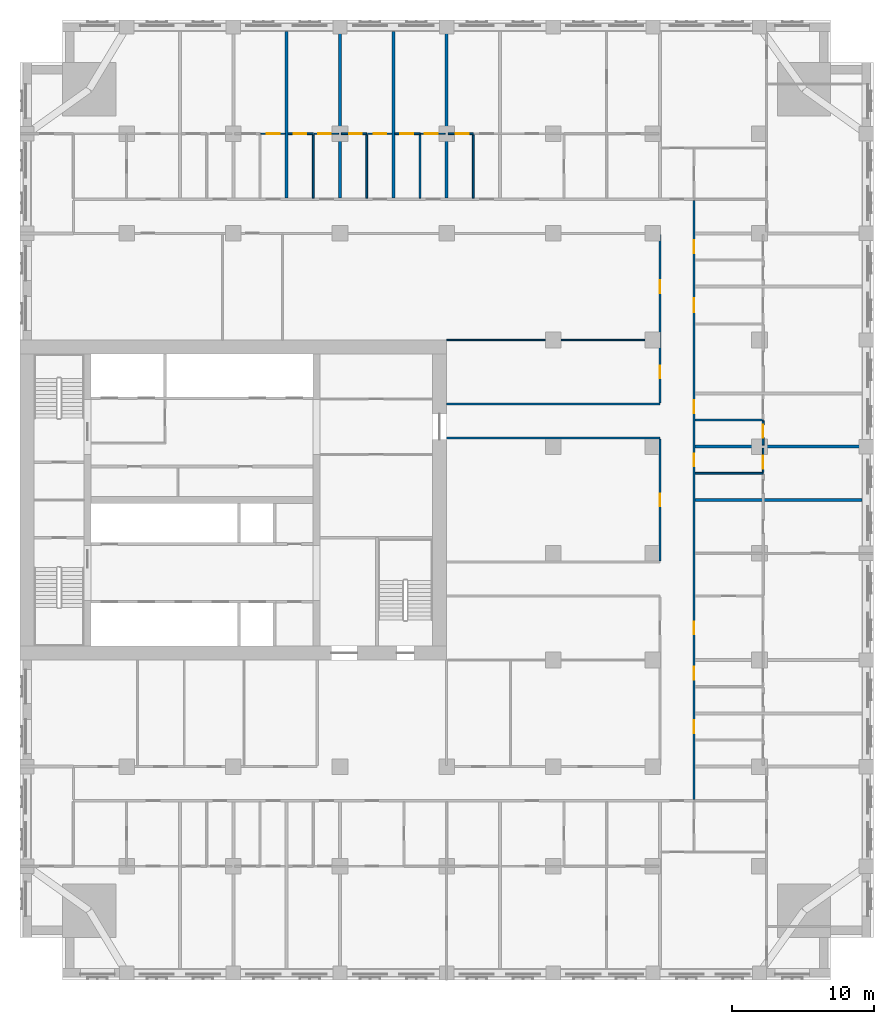
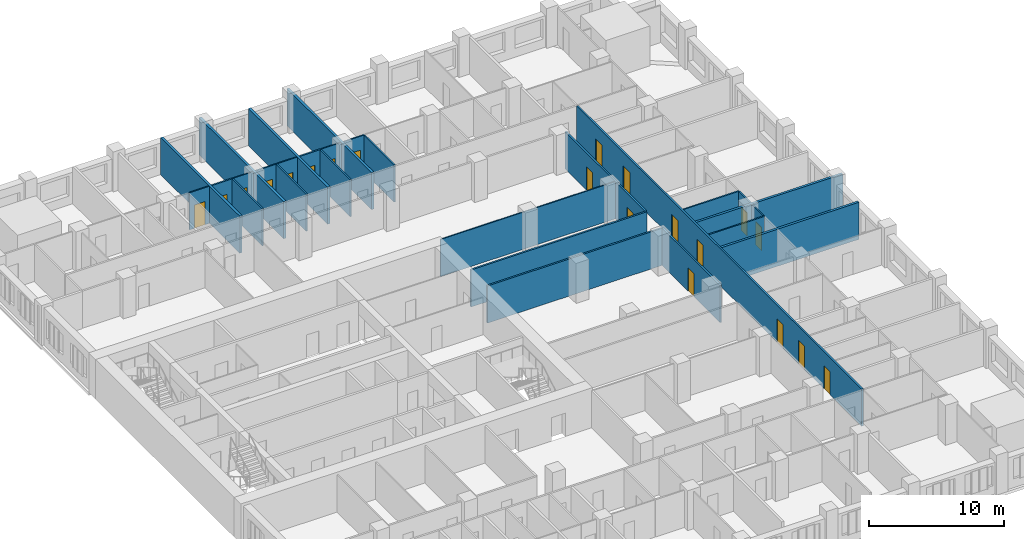
# One storey, part 10 of 15: 28 walls, 20 doors, 20 openings.
"""IFC4 building model written with IfcOpenShell, lengths in metres."""

from ifc_helpers import new_model, si_unit, direction, frame, frame_2d, origin, place, context, subcontext, project, spatial, rectangle, extrude, material, layer, layer_set, type_object, element, fill, save


model = new_model("IFC4")

# Units and contexts
model_context = context("Model", 3, precision=1e-05, world=origin(), true_north=direction((0.0, 1.0)))
body_context = subcontext(model_context, "Body", "Model", "MODEL_VIEW")
ifc_project = project(units=[si_unit("LENGTHUNIT", "METRE"), si_unit("AREAUNIT", "SQUARE_METRE"), si_unit("VOLUMEUNIT", "CUBIC_METRE"), si_unit("PLANEANGLEUNIT", "RADIAN"), si_unit("MASSUNIT", "GRAM", prefix="KILO")], contexts=[model_context])

# Site, building, storey
site_placement = place(None, origin())
site = spatial("IfcSite", under=ifc_project, at=site_placement, CompositionType="ELEMENT")
building_placement = place(site_placement, origin())
building = spatial("IfcBuilding", under=site, at=building_placement, Name="Tamorin Gate", CompositionType="ELEMENT")
storey_placement = place(building_placement, frame((0.0, 0.0, 97.10009765625)))
storey = spatial("IfcBuildingStorey", under=building, at=storey_placement, Name="L23", CompositionType="ELEMENT", Elevation=97.10009765625)

# Wall, opening, door
ifc_material_1 = material(Name="Gypsum board partition")
ifc_layer_1 = layer(ifc_material_1, 0.14990234375)
ifc_layer_set_1 = layer_set([ifc_layer_1], Name="Corridor wall 150")
wall_type_1 = type_object("IfcWallType", Name="Corridor wall 150", PredefinedType="PARTITIONING", material=ifc_layer_set_1)
wall_1_placement = place(storey_placement, frame((75.0, 66.97509765625, 0.0), z_axis=(0.0, 0.0, 1.0), x_axis=(0.0, 1.0, 0.0)))
wall_1 = element("IfcWall", 1, at=wall_1_placement, inside=storey, type_object=wall_type_1, Name="Corridor wall 150", PredefinedType="PARTITIONING", context=body_context, shape_type="SweptSolid", body=[
    extrude(rectangle(XDim=8.5498046875, YDim=0.14990234375, at=frame_2d((4.27490234375, 0.0))), origin(), (0.0, 0.0, 1.0), 3.349853515625),
])
opening_1_placement = place(wall_1_placement, frame((3.824951171875, 0.0, 0.0)))
opening_1 = element("IfcOpeningElement", 2, at=opening_1_placement, cuts=wall_1, Name="Opening DH6096", PredefinedType="OPENING", context=body_context, shape_type="SweptSolid", body=[
    extrude(rectangle(XDim=0.89990234375, YDim=2.10009765625, at=frame_2d((0.449951171875, 1.050048828125))), frame((0.0, 0.0849609375, 0.0), z_axis=(0.0, -1.0, 0.0), x_axis=(1.0, 0.0, 0.0)), (0.0, 0.0, 1.0), 0.169921875),
])
ifc_material_2 = material(Name="Timber door leaf", Category="wood")
door_type_1 = type_object("IfcDoorType", Name="Door 900 x 2100 FD30S", OperationType="NOTDEFINED", PredefinedType="DOOR", material=ifc_material_2)
door_1_placement = place(opening_1_placement, origin())
door_1 = element("IfcDoor", 3, at=door_1_placement, inside=storey, type_object=door_type_1, Name="Door DH6096", OperationType="SINGLE_SWING_LEFT", OverallHeight=2.10009765625, OverallWidth=0.89990234375, PredefinedType="DOOR", context=body_context, shape_type="SweptSolid", body=[
    extrude(rectangle(XDim=0.89990234375, YDim=2.10009765625, at=frame_2d((0.449951171875, 1.050048828125))), frame((0.0, 0.02490234375, 0.0), z_axis=(0.0, -1.0, 0.0), x_axis=(1.0, 0.0, 0.0)), (0.0, 0.0, 1.0), 0.050048828125),
])
fill(opening_1, door_1)

# Wall, openings, doors
wall_2_placement = place(storey_placement, frame((75.0, 78.074951171875, 0.0), z_axis=(0.0, 0.0, 1.0), x_axis=(0.0, 1.0, 0.0)))
wall_2 = element("IfcWall", 4, at=wall_2_placement, inside=storey, type_object=wall_type_1, Name="Corridor wall 150", PredefinedType="PARTITIONING", context=body_context, shape_type="SweptSolid", body=[
    extrude(rectangle(XDim=11.85009765625, YDim=0.14990234375, at=frame_2d((5.925048828125, 0.0))), origin(), (0.0, 0.0, 1.0), 3.349853515625),
])
opening_2_placement = place(wall_2_placement, frame((7.72509765625, 0.0, 0.0)))
opening_2 = element("IfcOpeningElement", 5, at=opening_2_placement, cuts=wall_2, Name="Opening DH6094", PredefinedType="OPENING", context=body_context, shape_type="SweptSolid", body=[
    extrude(rectangle(XDim=0.89990234375, YDim=2.10009765625, at=frame_2d((0.449951171875, 1.050048828125))), frame((0.0, 0.0849609375, 0.0), z_axis=(0.0, -1.0, 0.0), x_axis=(1.0, 0.0, 0.0)), (0.0, 0.0, 1.0), 0.169921875),
])
opening_3_placement = place(wall_2_placement, frame((1.72509765625, 0.0, 0.0)))
opening_3 = element("IfcOpeningElement", 6, at=opening_3_placement, cuts=wall_2, Name="Opening DH6097", PredefinedType="OPENING", context=body_context, shape_type="SweptSolid", body=[
    extrude(rectangle(XDim=0.89990234375, YDim=2.10009765625, at=frame_2d((0.449951171875, 1.050048828125))), frame((0.0, 0.0849609375, 0.0), z_axis=(0.0, -1.0, 0.0), x_axis=(1.0, 0.0, 0.0)), (0.0, 0.0, 1.0), 0.169921875),
])
door_2_placement = place(opening_2_placement, origin())
door_2 = element("IfcDoor", 7, at=door_2_placement, inside=storey, type_object=door_type_1, Name="Door DH6094", OperationType="SINGLE_SWING_LEFT", OverallHeight=2.10009765625, OverallWidth=0.89990234375, PredefinedType="DOOR", context=body_context, shape_type="SweptSolid", body=[
    extrude(rectangle(XDim=0.89990234375, YDim=2.10009765625, at=frame_2d((0.449951171875, 1.050048828125))), frame((0.0, 0.02490234375, 0.0), z_axis=(0.0, -1.0, 0.0), x_axis=(1.0, 0.0, 0.0)), (0.0, 0.0, 1.0), 0.050048828125),
])
fill(opening_2, door_2)
door_3_placement = place(opening_3_placement, origin())
door_3 = element("IfcDoor", 8, at=door_3_placement, inside=storey, type_object=door_type_1, Name="Door DH6097", OperationType="SINGLE_SWING_LEFT", OverallHeight=2.10009765625, OverallWidth=0.89990234375, PredefinedType="DOOR", context=body_context, shape_type="SweptSolid", body=[
    extrude(rectangle(XDim=0.89990234375, YDim=2.10009765625, at=frame_2d((0.449951171875, 1.050048828125))), frame((0.0, 0.02490234375, 0.0), z_axis=(0.0, -1.0, 0.0), x_axis=(1.0, 0.0, 0.0)), (0.0, 0.0, 1.0), 0.050048828125),
])
fill(opening_3, door_3)

wall_3_placement = place(storey_placement, frame((77.39990234375, 50.175048828125, 0.0), z_axis=(0.0, 0.0, 1.0), x_axis=(0.0, 1.0, 0.0)))
wall_3 = element("IfcWall", 9, at=wall_3_placement, inside=storey, type_object=wall_type_1, Name="Corridor wall 150", PredefinedType="PARTITIONING", context=body_context, shape_type="SweptSolid", body=[
    extrude(rectangle(XDim=42.14990234375, YDim=0.14990234375, at=frame_2d((21.074951171875, 0.0))), origin(), (0.0, 0.0, 1.0), 3.349853515625),
])
opening_4_placement = place(wall_3_placement, frame((4.6875, 0.0, 0.0)))
opening_4 = element("IfcOpeningElement", 10, at=opening_4_placement, cuts=wall_3, Name="Opening DH6052", PredefinedType="OPENING", context=body_context, shape_type="SweptSolid", body=[
    extrude(rectangle(XDim=0.89990234375, YDim=2.10009765625, at=frame_2d((0.449951171875, 1.050048828125))), frame((0.0, 0.0849609375, 0.0), z_axis=(0.0, -1.0, 0.0), x_axis=(1.0, 0.0, 0.0)), (0.0, 0.0, 1.0), 0.169921875),
])
opening_5_placement = place(wall_3_placement, frame((8.4375, 0.0, 0.0)))
opening_5 = element("IfcOpeningElement", 11, at=opening_5_placement, cuts=wall_3, Name="Opening DH6055", PredefinedType="OPENING", context=body_context, shape_type="SweptSolid", body=[
    extrude(rectangle(XDim=0.89990234375, YDim=2.10009765625, at=frame_2d((0.449951171875, 1.050048828125))), frame((0.0, 0.0849609375, 0.0), z_axis=(0.0, -1.0, 0.0), x_axis=(1.0, 0.0, 0.0)), (0.0, 0.0, 1.0), 0.169921875),
])
opening_6_placement = place(wall_3_placement, frame((11.625, 0.0, 0.0)))
opening_6 = element("IfcOpeningElement", 12, at=opening_6_placement, cuts=wall_3, Name="Opening DH6057", PredefinedType="OPENING", context=body_context, shape_type="SweptSolid", body=[
    extrude(rectangle(XDim=0.89990234375, YDim=2.10009765625, at=frame_2d((0.449951171875, 1.050048828125))), frame((0.0, 0.0849609375, 0.0), z_axis=(0.0, -1.0, 0.0), x_axis=(1.0, 0.0, 0.0)), (0.0, 0.0, 1.0), 0.169921875),
])
opening_7_placement = place(wall_3_placement, frame((23.4375, 0.0, 0.0)))
opening_7 = element("IfcOpeningElement", 13, at=opening_7_placement, cuts=wall_3, Name="Opening DH6063", PredefinedType="OPENING", context=body_context, shape_type="SweptSolid", body=[
    extrude(rectangle(XDim=0.89990234375, YDim=2.10009765625, at=frame_2d((0.449951171875, 1.050048828125))), frame((0.0, 0.0849609375, 0.0), z_axis=(0.0, -1.0, 0.0), x_axis=(1.0, 0.0, 0.0)), (0.0, 0.0, 1.0), 0.169921875),
])
opening_8_placement = place(wall_3_placement, frame((27.1875, 0.0, 0.0)))
opening_8 = element("IfcOpeningElement", 14, at=opening_8_placement, cuts=wall_3, Name="Opening DH6066", PredefinedType="OPENING", context=body_context, shape_type="SweptSolid", body=[
    extrude(rectangle(XDim=0.89990234375, YDim=2.10009765625, at=frame_2d((0.449951171875, 1.050048828125))), frame((0.0, 0.0849609375, 0.0), z_axis=(0.0, -1.0, 0.0), x_axis=(1.0, 0.0, 0.0)), (0.0, 0.0, 1.0), 0.169921875),
])
opening_9_placement = place(wall_3_placement, frame((34.262451171875, 0.0, 0.0)))
opening_9 = element("IfcOpeningElement", 15, at=opening_9_placement, cuts=wall_3, Name="Opening DH6069", PredefinedType="OPENING", context=body_context, shape_type="SweptSolid", body=[
    extrude(rectangle(XDim=1.0, YDim=2.10009765625, at=frame_2d((0.5, 1.050048828125))), frame((0.0, 0.0849609375, 0.0), z_axis=(0.0, -1.0, 0.0), x_axis=(1.0, 0.0, 0.0)), (0.0, 0.0, 1.0), 0.169921875),
])
opening_10_placement = place(wall_3_placement, frame((38.4375, 0.0, 0.0)))
opening_10 = element("IfcOpeningElement", 16, at=opening_10_placement, cuts=wall_3, Name="Opening DH6072", PredefinedType="OPENING", context=body_context, shape_type="SweptSolid", body=[
    extrude(rectangle(XDim=0.89990234375, YDim=2.10009765625, at=frame_2d((0.449951171875, 1.050048828125))), frame((0.0, 0.0849609375, 0.0), z_axis=(0.0, -1.0, 0.0), x_axis=(1.0, 0.0, 0.0)), (0.0, 0.0, 1.0), 0.169921875),
])
door_type_2 = type_object("IfcDoorType", Name="Door 1000 x 2100 FD30S", OperationType="NOTDEFINED", PredefinedType="DOOR", material=ifc_material_2)
door_4_placement = place(opening_9_placement, origin())
door_4 = element("IfcDoor", 17, at=door_4_placement, inside=storey, type_object=door_type_2, Name="Door DH6069", OperationType="SINGLE_SWING_RIGHT", OverallHeight=2.10009765625, OverallWidth=1.0, PredefinedType="DOOR", context=body_context, shape_type="SweptSolid", body=[
    extrude(rectangle(XDim=1.0, YDim=2.10009765625, at=frame_2d((0.5, 1.050048828125))), frame((0.0, 0.02490234375, 0.0), z_axis=(0.0, -1.0, 0.0), x_axis=(1.0, 0.0, 0.0)), (0.0, 0.0, 1.0), 0.050048828125),
])
fill(opening_9, door_4)
door_5_placement = place(opening_4_placement, origin())
door_5 = element("IfcDoor", 18, at=door_5_placement, inside=storey, type_object=door_type_1, Name="Door DH6052", OperationType="SINGLE_SWING_RIGHT", OverallHeight=2.10009765625, OverallWidth=0.89990234375, PredefinedType="DOOR", context=body_context, shape_type="SweptSolid", body=[
    extrude(rectangle(XDim=0.89990234375, YDim=2.10009765625, at=frame_2d((0.449951171875, 1.050048828125))), frame((0.0, 0.02490234375, 0.0), z_axis=(0.0, -1.0, 0.0), x_axis=(1.0, 0.0, 0.0)), (0.0, 0.0, 1.0), 0.050048828125),
])
fill(opening_4, door_5)
door_6_placement = place(opening_5_placement, origin())
door_6 = element("IfcDoor", 19, at=door_6_placement, inside=storey, type_object=door_type_1, Name="Door DH6055", OperationType="SINGLE_SWING_RIGHT", OverallHeight=2.10009765625, OverallWidth=0.89990234375, PredefinedType="DOOR", context=body_context, shape_type="SweptSolid", body=[
    extrude(rectangle(XDim=0.89990234375, YDim=2.10009765625, at=frame_2d((0.449951171875, 1.050048828125))), frame((0.0, 0.02490234375, 0.0), z_axis=(0.0, -1.0, 0.0), x_axis=(1.0, 0.0, 0.0)), (0.0, 0.0, 1.0), 0.050048828125),
])
fill(opening_5, door_6)
door_7_placement = place(opening_6_placement, origin())
door_7 = element("IfcDoor", 20, at=door_7_placement, inside=storey, type_object=door_type_1, Name="Door DH6057", OperationType="SINGLE_SWING_RIGHT", OverallHeight=2.10009765625, OverallWidth=0.89990234375, PredefinedType="DOOR", context=body_context, shape_type="SweptSolid", body=[
    extrude(rectangle(XDim=0.89990234375, YDim=2.10009765625, at=frame_2d((0.449951171875, 1.050048828125))), frame((0.0, 0.02490234375, 0.0), z_axis=(0.0, -1.0, 0.0), x_axis=(1.0, 0.0, 0.0)), (0.0, 0.0, 1.0), 0.050048828125),
])
fill(opening_6, door_7)
door_8_placement = place(opening_7_placement, origin())
door_8 = element("IfcDoor", 21, at=door_8_placement, inside=storey, type_object=door_type_1, Name="Door DH6063", OperationType="SINGLE_SWING_RIGHT", OverallHeight=2.10009765625, OverallWidth=0.89990234375, PredefinedType="DOOR", context=body_context, shape_type="SweptSolid", body=[
    extrude(rectangle(XDim=0.89990234375, YDim=2.10009765625, at=frame_2d((0.449951171875, 1.050048828125))), frame((0.0, 0.02490234375, 0.0), z_axis=(0.0, -1.0, 0.0), x_axis=(1.0, 0.0, 0.0)), (0.0, 0.0, 1.0), 0.050048828125),
])
fill(opening_7, door_8)
door_9_placement = place(opening_8_placement, origin())
door_9 = element("IfcDoor", 22, at=door_9_placement, inside=storey, type_object=door_type_1, Name="Door DH6066", OperationType="SINGLE_SWING_RIGHT", OverallHeight=2.10009765625, OverallWidth=0.89990234375, PredefinedType="DOOR", context=body_context, shape_type="SweptSolid", body=[
    extrude(rectangle(XDim=0.89990234375, YDim=2.10009765625, at=frame_2d((0.449951171875, 1.050048828125))), frame((0.0, 0.02490234375, 0.0), z_axis=(0.0, -1.0, 0.0), x_axis=(1.0, 0.0, 0.0)), (0.0, 0.0, 1.0), 0.050048828125),
])
fill(opening_8, door_9)
door_10_placement = place(opening_10_placement, origin())
door_10 = element("IfcDoor", 23, at=door_10_placement, inside=storey, type_object=door_type_1, Name="Door DH6072", OperationType="SINGLE_SWING_RIGHT", OverallHeight=2.10009765625, OverallWidth=0.89990234375, PredefinedType="DOOR", context=body_context, shape_type="SweptSolid", body=[
    extrude(rectangle(XDim=0.89990234375, YDim=2.10009765625, at=frame_2d((0.449951171875, 1.050048828125))), frame((0.0, 0.02490234375, 0.0), z_axis=(0.0, -1.0, 0.0), x_axis=(1.0, 0.0, 0.0)), (0.0, 0.0, 1.0), 0.050048828125),
])
fill(opening_10, door_10)

# Walls
ifc_layer_2 = layer(ifc_material_1, 0.199951171875)
ifc_layer_set_2 = layer_set([ifc_layer_2], Name="Demising wall 200")
wall_type_2 = type_object("IfcWallType", Name="Demising wall 200", PredefinedType="PARTITIONING", material=ifc_layer_set_2)
wall_4_placement = place(storey_placement, frame((77.47509765625, 71.25, 0.0), z_axis=(0.0, 0.0, 1.0), x_axis=(1.0, 0.0, 0.0)))
element("IfcWall", 24, at=wall_4_placement, inside=storey, type_object=wall_type_2, Name="Demising wall 200", PredefinedType="PARTITIONING", context=body_context, shape_type="SweptSolid", body=[
    extrude(rectangle(XDim=11.71484375, YDim=0.199951171875, at=frame_2d((5.857421875, 0.0))), origin(), (0.0, 0.0, 1.0), 3.349853515625),
])
wall_5_placement = place(storey_placement, frame((77.47509765625, 75.0, 0.0), z_axis=(0.0, 0.0, 1.0), x_axis=(1.0, 0.0, 0.0)))
element("IfcWall", 25, at=wall_5_placement, inside=storey, type_object=wall_type_2, Name="Demising wall 200", PredefinedType="PARTITIONING", context=body_context, shape_type="SweptSolid", body=[
    extrude(rectangle(XDim=12.52490234375, YDim=0.199951171875, at=frame_2d((6.262451171875, 0.0))), origin(), (0.0, 0.0, 1.0), 3.349853515625),
])
wall_6_placement = place(storey_placement, frame((48.75, 92.47509765625, 0.0), z_axis=(0.0, 0.0, 1.0), x_axis=(0.0, 1.0, 0.0)))
element("IfcWall", 26, at=wall_6_placement, inside=storey, type_object=wall_type_2, Name="Demising wall 200", PredefinedType="PARTITIONING", context=body_context, shape_type="SweptSolid", body=[
    extrude(rectangle(XDim=11.71484375, YDim=0.199951171875, at=frame_2d((5.857421875, 0.0))), origin(), (0.0, 0.0, 1.0), 3.349853515625),
])
wall_7_placement = place(storey_placement, frame((52.5, 92.47509765625, 0.0), z_axis=(0.0, 0.0, 1.0), x_axis=(0.0, 1.0, 0.0)))
element("IfcWall", 27, at=wall_7_placement, inside=storey, type_object=wall_type_2, Name="Demising wall 200", PredefinedType="PARTITIONING", context=body_context, shape_type="SweptSolid", body=[
    extrude(rectangle(XDim=12.52490234375, YDim=0.199951171875, at=frame_2d((6.262451171875, 0.0))), origin(), (0.0, 0.0, 1.0), 3.349853515625),
])
wall_8_placement = place(storey_placement, frame((56.25, 92.47509765625, 0.0), z_axis=(0.0, 0.0, 1.0), x_axis=(0.0, 1.0, 0.0)))
element("IfcWall", 28, at=wall_8_placement, inside=storey, type_object=wall_type_2, Name="Demising wall 200", PredefinedType="PARTITIONING", context=body_context, shape_type="SweptSolid", body=[
    extrude(rectangle(XDim=11.71484375, YDim=0.199951171875, at=frame_2d((5.857421875, 0.0))), origin(), (0.0, 0.0, 1.0), 3.349853515625),
])
wall_9_placement = place(storey_placement, frame((60.0, 92.47509765625, 0.0), z_axis=(0.0, 0.0, 1.0), x_axis=(0.0, 1.0, 0.0)))
element("IfcWall", 29, at=wall_9_placement, inside=storey, type_object=wall_type_2, Name="Demising wall 200", PredefinedType="PARTITIONING", context=body_context, shape_type="SweptSolid", body=[
    extrude(rectangle(XDim=12.52490234375, YDim=0.199951171875, at=frame_2d((6.262451171875, 0.0))), origin(), (0.0, 0.0, 1.0), 3.349853515625),
])
ifc_layer_3 = layer(ifc_material_1, 0.14990234375)
ifc_layer_set_3 = layer_set([ifc_layer_3], Name="Lobby wall 150")
wall_type_3 = type_object("IfcWallType", Name="Lobby wall 150", PredefinedType="PARTITIONING", material=ifc_layer_set_3)
for number, where, z_axis, x_axis, name in (
    (30, (60.0, 75.60009765625, 0.0), (0.0, 0.0, 1.0), (1.0, 0.0, 0.0), "Lobby wall 150"),
    (31, (60.0, 78.0, 0.0), (0.0, 0.0, 1.0), (1.0, 0.0, 0.0), "Lobby wall 150"),
):
    element("IfcWall", number, at=place(storey_placement, frame(where, z_axis=z_axis, x_axis=x_axis)), inside=storey, type_object=wall_type_3, Name=name, PredefinedType="PARTITIONING", context=body_context, shape_type="SweptSolid", body=[
        extrude(rectangle(XDim=15.0, YDim=0.14990234375, at=frame_2d((7.5, 0.0))), origin(), (0.0, 0.0, 1.0), 3.349853515625),
    ])
ifc_layer_4 = layer(ifc_material_1, 0.10009765625)
ifc_layer_set_4 = layer_set([ifc_layer_4], Name="Room partition 100")
wall_type_4 = type_object("IfcWallType", Name="Room partition 100", PredefinedType="PARTITIONING", material=ifc_layer_set_4)
wall_10_placement = place(storey_placement, frame((60.0, 82.5, 0.0), z_axis=(0.0, 0.0, 1.0), x_axis=(1.0, 0.0, 0.0)))
element("IfcWall", 32, at=wall_10_placement, inside=storey, type_object=wall_type_4, Name="Room partition 100", PredefinedType="PARTITIONING", context=body_context, shape_type="SweptSolid", body=[
    extrude(rectangle(XDim=14.925048828125, YDim=0.10009765625, at=frame_2d((7.46240234375, 0.0))), origin(), (0.0, 0.0, 1.0), 3.349853515625),
])

# Wall, opening, door
wall_11_placement = place(storey_placement, frame((46.9375, 97.0, 0.0), z_axis=(0.0, 0.0, 1.0), x_axis=(1.0, 0.0, 0.0)))
wall_11 = element("IfcWall", 33, at=wall_11_placement, inside=storey, type_object=wall_type_4, Name="Room partition 100", PredefinedType="PARTITIONING", context=body_context, shape_type="SweptSolid", body=[
    extrude(rectangle(XDim=1.71240234375, YDim=0.10009765625, at=frame_2d((0.856201171875, 0.0))), origin(), (0.0, 0.0, 1.0), 3.349853515625),
])
opening_11_placement = place(wall_11_placement, frame((0.425048828125, 0.0, 0.0)))
opening_11 = element("IfcOpeningElement", 34, at=opening_11_placement, cuts=wall_11, Name="Opening DH6033", PredefinedType="OPENING", context=body_context, shape_type="SweptSolid", body=[
    extrude(rectangle(XDim=0.89990234375, YDim=2.10009765625, at=frame_2d((0.449951171875, 1.050048828125))), frame((0.0, 0.06005859375, 0.0), z_axis=(0.0, -1.0, 0.0), x_axis=(1.0, 0.0, 0.0)), (0.0, 0.0, 1.0), 0.1201171875),
])
door_type_3 = type_object("IfcDoorType", Name="Door 900 x 2100", OperationType="NOTDEFINED", PredefinedType="DOOR", material=ifc_material_2)
door_11_placement = place(opening_11_placement, origin())
door_11 = element("IfcDoor", 35, at=door_11_placement, inside=storey, type_object=door_type_3, Name="Door DH6033", OperationType="SINGLE_SWING_RIGHT", OverallHeight=2.10009765625, OverallWidth=0.89990234375, PredefinedType="DOOR", context=body_context, shape_type="SweptSolid", body=[
    extrude(rectangle(XDim=0.89990234375, YDim=2.10009765625, at=frame_2d((0.449951171875, 1.050048828125))), frame((0.0, 0.02490234375, 0.0), z_axis=(0.0, -1.0, 0.0), x_axis=(1.0, 0.0, 0.0)), (0.0, 0.0, 1.0), 0.050048828125),
])
fill(opening_11, door_11)

wall_12_placement = place(storey_placement, frame((50.6875, 97.0, 0.0), z_axis=(0.0, 0.0, 1.0), x_axis=(1.0, 0.0, 0.0)))
wall_12 = element("IfcWall", 36, at=wall_12_placement, inside=storey, type_object=wall_type_4, Name="Room partition 100", PredefinedType="PARTITIONING", context=body_context, shape_type="SweptSolid", body=[
    extrude(rectangle(XDim=1.71240234375, YDim=0.10009765625, at=frame_2d((0.856201171875, 0.0))), origin(), (0.0, 0.0, 1.0), 3.349853515625),
])
opening_12_placement = place(wall_12_placement, frame((0.27490234375, 0.0, 0.0)))
opening_12 = element("IfcOpeningElement", 37, at=opening_12_placement, cuts=wall_12, Name="Opening DH6036", PredefinedType="OPENING", context=body_context, shape_type="SweptSolid", body=[
    extrude(rectangle(XDim=0.89990234375, YDim=2.10009765625, at=frame_2d((0.449951171875, 1.050048828125))), frame((0.0, 0.06005859375, 0.0), z_axis=(0.0, -1.0, 0.0), x_axis=(1.0, 0.0, 0.0)), (0.0, 0.0, 1.0), 0.1201171875),
])
door_12_placement = place(opening_12_placement, origin())
door_12 = element("IfcDoor", 38, at=door_12_placement, inside=storey, type_object=door_type_3, Name="Door DH6036", OperationType="SINGLE_SWING_RIGHT", OverallHeight=2.10009765625, OverallWidth=0.89990234375, PredefinedType="DOOR", context=body_context, shape_type="SweptSolid", body=[
    extrude(rectangle(XDim=0.89990234375, YDim=2.10009765625, at=frame_2d((0.449951171875, 1.050048828125))), frame((0.0, 0.02490234375, 0.0), z_axis=(0.0, -1.0, 0.0), x_axis=(1.0, 0.0, 0.0)), (0.0, 0.0, 1.0), 0.050048828125),
])
fill(opening_12, door_12)

wall_13_placement = place(storey_placement, frame((54.4375, 97.0, 0.0), z_axis=(0.0, 0.0, 1.0), x_axis=(1.0, 0.0, 0.0)))
wall_13 = element("IfcWall", 39, at=wall_13_placement, inside=storey, type_object=wall_type_4, Name="Room partition 100", PredefinedType="PARTITIONING", context=body_context, shape_type="SweptSolid", body=[
    extrude(rectangle(XDim=1.71240234375, YDim=0.10009765625, at=frame_2d((0.856201171875, 0.0))), origin(), (0.0, 0.0, 1.0), 3.349853515625),
])
opening_13_placement = place(wall_13_placement, frame((0.425048828125, 0.0, 0.0)))
opening_13 = element("IfcOpeningElement", 40, at=opening_13_placement, cuts=wall_13, Name="Opening DH6039", PredefinedType="OPENING", context=body_context, shape_type="SweptSolid", body=[
    extrude(rectangle(XDim=0.89990234375, YDim=2.10009765625, at=frame_2d((0.449951171875, 1.050048828125))), frame((0.0, 0.06005859375, 0.0), z_axis=(0.0, -1.0, 0.0), x_axis=(1.0, 0.0, 0.0)), (0.0, 0.0, 1.0), 0.1201171875),
])
door_13_placement = place(opening_13_placement, origin())
door_13 = element("IfcDoor", 41, at=door_13_placement, inside=storey, type_object=door_type_3, Name="Door DH6039", OperationType="SINGLE_SWING_RIGHT", OverallHeight=2.10009765625, OverallWidth=0.89990234375, PredefinedType="DOOR", context=body_context, shape_type="SweptSolid", body=[
    extrude(rectangle(XDim=0.89990234375, YDim=2.10009765625, at=frame_2d((0.449951171875, 1.050048828125))), frame((0.0, 0.02490234375, 0.0), z_axis=(0.0, -1.0, 0.0), x_axis=(1.0, 0.0, 0.0)), (0.0, 0.0, 1.0), 0.050048828125),
])
fill(opening_13, door_13)

wall_14_placement = place(storey_placement, frame((58.1875, 97.0, 0.0), z_axis=(0.0, 0.0, 1.0), x_axis=(1.0, 0.0, 0.0)))
wall_14 = element("IfcWall", 42, at=wall_14_placement, inside=storey, type_object=wall_type_4, Name="Room partition 100", PredefinedType="PARTITIONING", context=body_context, shape_type="SweptSolid", body=[
    extrude(rectangle(XDim=1.71240234375, YDim=0.10009765625, at=frame_2d((0.856201171875, 0.0))), origin(), (0.0, 0.0, 1.0), 3.349853515625),
])
opening_14_placement = place(wall_14_placement, frame((0.27490234375, 0.0, 0.0)))
opening_14 = element("IfcOpeningElement", 43, at=opening_14_placement, cuts=wall_14, Name="Opening DH6042", PredefinedType="OPENING", context=body_context, shape_type="SweptSolid", body=[
    extrude(rectangle(XDim=0.89990234375, YDim=2.10009765625, at=frame_2d((0.449951171875, 1.050048828125))), frame((0.0, 0.06005859375, 0.0), z_axis=(0.0, -1.0, 0.0), x_axis=(1.0, 0.0, 0.0)), (0.0, 0.0, 1.0), 0.1201171875),
])
door_14_placement = place(opening_14_placement, origin())
door_14 = element("IfcDoor", 44, at=door_14_placement, inside=storey, type_object=door_type_3, Name="Door DH6042", OperationType="SINGLE_SWING_RIGHT", OverallHeight=2.10009765625, OverallWidth=0.89990234375, PredefinedType="DOOR", context=body_context, shape_type="SweptSolid", body=[
    extrude(rectangle(XDim=0.89990234375, YDim=2.10009765625, at=frame_2d((0.449951171875, 1.050048828125))), frame((0.0, 0.02490234375, 0.0), z_axis=(0.0, -1.0, 0.0), x_axis=(1.0, 0.0, 0.0)), (0.0, 0.0, 1.0), 0.050048828125),
])
fill(opening_14, door_14)

wall_15_placement = place(storey_placement, frame((82.25, 73.1875, 0.0), z_axis=(0.0, 0.0, 1.0), x_axis=(0.0, 1.0, 0.0)))
wall_15 = element("IfcWall", 45, at=wall_15_placement, inside=storey, type_object=wall_type_4, Name="Room partition 100", PredefinedType="PARTITIONING", context=body_context, shape_type="SweptSolid", body=[
    extrude(rectangle(XDim=1.71240234375, YDim=0.10009765625, at=frame_2d((0.856201171875, 0.0))), origin(), (0.0, 0.0, 1.0), 3.349853515625),
])
opening_15_placement = place(wall_15_placement, frame((0.27490234375, 0.0, 0.0)))
opening_15 = element("IfcOpeningElement", 46, at=opening_15_placement, cuts=wall_15, Name="Opening DH6064", PredefinedType="OPENING", context=body_context, shape_type="SweptSolid", body=[
    extrude(rectangle(XDim=0.89990234375, YDim=2.10009765625, at=frame_2d((0.449951171875, 1.050048828125))), frame((0.0, 0.06005859375, 0.0), z_axis=(0.0, -1.0, 0.0), x_axis=(1.0, 0.0, 0.0)), (0.0, 0.0, 1.0), 0.1201171875),
])
door_15_placement = place(opening_15_placement, origin())
door_15 = element("IfcDoor", 47, at=door_15_placement, inside=storey, type_object=door_type_3, Name="Door DH6064", OperationType="SINGLE_SWING_LEFT", OverallHeight=2.10009765625, OverallWidth=0.89990234375, PredefinedType="DOOR", context=body_context, shape_type="SweptSolid", body=[
    extrude(rectangle(XDim=0.89990234375, YDim=2.10009765625, at=frame_2d((0.449951171875, 1.050048828125))), frame((0.0, 0.02490234375, 0.0), z_axis=(0.0, -1.0, 0.0), x_axis=(1.0, 0.0, 0.0)), (0.0, 0.0, 1.0), 0.050048828125),
])
fill(opening_15, door_15)

# Walls
ifc_layer_5 = layer(ifc_material_1, 0.125)
ifc_layer_set_5 = layer_set([ifc_layer_5], Name="Wet wall 125")
wall_type_5 = type_object("IfcWallType", Name="Wet wall 125", PredefinedType="PARTITIONING", material=ifc_layer_set_5)
for number, where, z_axis, x_axis, name in (
    (48, (77.47509765625, 73.125, 0.0), (0.0, 0.0, 1.0), (1.0, 0.0, 0.0), "Wet wall 125"),
    (49, (77.47509765625, 76.875, 0.0), (0.0, 0.0, 1.0), (1.0, 0.0, 0.0), "Wet wall 125"),
):
    element("IfcWall", number, at=place(storey_placement, frame(where, z_axis=z_axis, x_axis=x_axis)), inside=storey, type_object=wall_type_5, Name=name, PredefinedType="PARTITIONING", context=body_context, shape_type="SweptSolid", body=[
        extrude(rectangle(XDim=4.77490234375, YDim=0.125, at=frame_2d((2.387451171875, 0.0))), origin(), (0.0, 0.0, 1.0), 3.349853515625),
    ])

# Wall, opening, door
wall_16_placement = place(storey_placement, frame((48.85009765625, 97.0, 0.0), z_axis=(0.0, 0.0, 1.0), x_axis=(1.0, 0.0, 0.0)))
wall_16 = element("IfcWall", 50, at=wall_16_placement, inside=storey, type_object=wall_type_5, Name="Wet wall 125", PredefinedType="PARTITIONING", context=body_context, shape_type="SweptSolid", body=[
    extrude(rectangle(XDim=1.77490234375, YDim=0.125, at=frame_2d((0.887451171875, 0.0))), origin(), (0.0, 0.0, 1.0), 3.349853515625),
])
opening_16_placement = place(wall_16_placement, frame((0.387451171875, 0.0, 0.0)))
opening_16 = element("IfcOpeningElement", 51, at=opening_16_placement, cuts=wall_16, Name="Opening DH6034", PredefinedType="OPENING", context=body_context, shape_type="SweptSolid", body=[
    extrude(rectangle(XDim=0.89990234375, YDim=2.10009765625, at=frame_2d((0.449951171875, 1.050048828125))), frame((0.0, 0.072509765625, 0.0), z_axis=(0.0, -1.0, 0.0), x_axis=(1.0, 0.0, 0.0)), (0.0, 0.0, 1.0), 0.14501953125),
])
door_16_placement = place(opening_16_placement, origin())
door_16 = element("IfcDoor", 52, at=door_16_placement, inside=storey, type_object=door_type_3, Name="Door DH6034", OperationType="SINGLE_SWING_RIGHT", OverallHeight=2.10009765625, OverallWidth=0.89990234375, PredefinedType="DOOR", context=body_context, shape_type="SweptSolid", body=[
    extrude(rectangle(XDim=0.89990234375, YDim=2.10009765625, at=frame_2d((0.449951171875, 1.050048828125))), frame((0.0, 0.02490234375, 0.0), z_axis=(0.0, -1.0, 0.0), x_axis=(1.0, 0.0, 0.0)), (0.0, 0.0, 1.0), 0.050048828125),
])
fill(opening_16, door_16)

wall_17_placement = place(storey_placement, frame((52.60009765625, 97.0, 0.0), z_axis=(0.0, 0.0, 1.0), x_axis=(1.0, 0.0, 0.0)))
wall_17 = element("IfcWall", 53, at=wall_17_placement, inside=storey, type_object=wall_type_5, Name="Wet wall 125", PredefinedType="PARTITIONING", context=body_context, shape_type="SweptSolid", body=[
    extrude(rectangle(XDim=1.77490234375, YDim=0.125, at=frame_2d((0.887451171875, 0.0))), origin(), (0.0, 0.0, 1.0), 3.349853515625),
])
opening_17_placement = place(wall_17_placement, frame((0.53759765625, 0.0, 0.0)))
opening_17 = element("IfcOpeningElement", 54, at=opening_17_placement, cuts=wall_17, Name="Opening DH6037", PredefinedType="OPENING", context=body_context, shape_type="SweptSolid", body=[
    extrude(rectangle(XDim=0.89990234375, YDim=2.10009765625, at=frame_2d((0.449951171875, 1.050048828125))), frame((0.0, 0.072509765625, 0.0), z_axis=(0.0, -1.0, 0.0), x_axis=(1.0, 0.0, 0.0)), (0.0, 0.0, 1.0), 0.14501953125),
])
door_17_placement = place(opening_17_placement, origin())
door_17 = element("IfcDoor", 55, at=door_17_placement, inside=storey, type_object=door_type_3, Name="Door DH6037", OperationType="SINGLE_SWING_LEFT", OverallHeight=2.10009765625, OverallWidth=0.89990234375, PredefinedType="DOOR", context=body_context, shape_type="SweptSolid", body=[
    extrude(rectangle(XDim=0.89990234375, YDim=2.10009765625, at=frame_2d((0.449951171875, 1.050048828125))), frame((0.0, 0.02490234375, 0.0), z_axis=(0.0, -1.0, 0.0), x_axis=(1.0, 0.0, 0.0)), (0.0, 0.0, 1.0), 0.050048828125),
])
fill(opening_17, door_17)

wall_18_placement = place(storey_placement, frame((56.35009765625, 97.0, 0.0), z_axis=(0.0, 0.0, 1.0), x_axis=(1.0, 0.0, 0.0)))
wall_18 = element("IfcWall", 56, at=wall_18_placement, inside=storey, type_object=wall_type_5, Name="Wet wall 125", PredefinedType="PARTITIONING", context=body_context, shape_type="SweptSolid", body=[
    extrude(rectangle(XDim=1.77490234375, YDim=0.125, at=frame_2d((0.887451171875, 0.0))), origin(), (0.0, 0.0, 1.0), 3.349853515625),
])
opening_18_placement = place(wall_18_placement, frame((0.387451171875, 0.0, 0.0)))
opening_18 = element("IfcOpeningElement", 57, at=opening_18_placement, cuts=wall_18, Name="Opening DH6040", PredefinedType="OPENING", context=body_context, shape_type="SweptSolid", body=[
    extrude(rectangle(XDim=0.89990234375, YDim=2.10009765625, at=frame_2d((0.449951171875, 1.050048828125))), frame((0.0, 0.072509765625, 0.0), z_axis=(0.0, -1.0, 0.0), x_axis=(1.0, 0.0, 0.0)), (0.0, 0.0, 1.0), 0.14501953125),
])
door_18_placement = place(opening_18_placement, origin())
door_18 = element("IfcDoor", 58, at=door_18_placement, inside=storey, type_object=door_type_3, Name="Door DH6040", OperationType="SINGLE_SWING_RIGHT", OverallHeight=2.10009765625, OverallWidth=0.89990234375, PredefinedType="DOOR", context=body_context, shape_type="SweptSolid", body=[
    extrude(rectangle(XDim=0.89990234375, YDim=2.10009765625, at=frame_2d((0.449951171875, 1.050048828125))), frame((0.0, 0.02490234375, 0.0), z_axis=(0.0, -1.0, 0.0), x_axis=(1.0, 0.0, 0.0)), (0.0, 0.0, 1.0), 0.050048828125),
])
fill(opening_18, door_18)

wall_19_placement = place(storey_placement, frame((60.10009765625, 97.0, 0.0), z_axis=(0.0, 0.0, 1.0), x_axis=(1.0, 0.0, 0.0)))
wall_19 = element("IfcWall", 59, at=wall_19_placement, inside=storey, type_object=wall_type_5, Name="Wet wall 125", PredefinedType="PARTITIONING", context=body_context, shape_type="SweptSolid", body=[
    extrude(rectangle(XDim=1.77490234375, YDim=0.125, at=frame_2d((0.887451171875, 0.0))), origin(), (0.0, 0.0, 1.0), 3.349853515625),
])
opening_19_placement = place(wall_19_placement, frame((0.53759765625, 0.0, 0.0)))
opening_19 = element("IfcOpeningElement", 60, at=opening_19_placement, cuts=wall_19, Name="Opening DH6043", PredefinedType="OPENING", context=body_context, shape_type="SweptSolid", body=[
    extrude(rectangle(XDim=0.89990234375, YDim=2.10009765625, at=frame_2d((0.449951171875, 1.050048828125))), frame((0.0, 0.072509765625, 0.0), z_axis=(0.0, -1.0, 0.0), x_axis=(1.0, 0.0, 0.0)), (0.0, 0.0, 1.0), 0.14501953125),
])
door_19_placement = place(opening_19_placement, origin())
door_19 = element("IfcDoor", 61, at=door_19_placement, inside=storey, type_object=door_type_3, Name="Door DH6043", OperationType="SINGLE_SWING_LEFT", OverallHeight=2.10009765625, OverallWidth=0.89990234375, PredefinedType="DOOR", context=body_context, shape_type="SweptSolid", body=[
    extrude(rectangle(XDim=0.89990234375, YDim=2.10009765625, at=frame_2d((0.449951171875, 1.050048828125))), frame((0.0, 0.02490234375, 0.0), z_axis=(0.0, -1.0, 0.0), x_axis=(1.0, 0.0, 0.0)), (0.0, 0.0, 1.0), 0.050048828125),
])
fill(opening_19, door_19)

# Walls
for number, where, z_axis, x_axis, name in (
    (62, (50.625, 92.47509765625, 0.0), (0.0, 0.0, 1.0), (0.0, 1.0, 0.0), "Wet wall 125"),
    (63, (54.375, 92.47509765625, 0.0), (0.0, 0.0, 1.0), (0.0, 1.0, 0.0), "Wet wall 125"),
    (64, (58.125, 92.47509765625, 0.0), (0.0, 0.0, 1.0), (0.0, 1.0, 0.0), "Wet wall 125"),
    (65, (61.875, 92.47509765625, 0.0), (0.0, 0.0, 1.0), (0.0, 1.0, 0.0), "Wet wall 125"),
):
    element("IfcWall", number, at=place(storey_placement, frame(where, z_axis=z_axis, x_axis=x_axis)), inside=storey, type_object=wall_type_5, Name=name, PredefinedType="PARTITIONING", context=body_context, shape_type="SweptSolid", body=[
        extrude(rectangle(XDim=4.46240234375, YDim=0.125, at=frame_2d((2.231201171875, 0.0))), origin(), (0.0, 0.0, 1.0), 3.349853515625),
    ])

# Wall, opening, door
wall_20_placement = place(storey_placement, frame((82.25, 75.10009765625, 0.0), z_axis=(0.0, 0.0, 1.0), x_axis=(0.0, 1.0, 0.0)))
wall_20 = element("IfcWall", 66, at=wall_20_placement, inside=storey, type_object=wall_type_5, Name="Wet wall 125", PredefinedType="PARTITIONING", context=body_context, shape_type="SweptSolid", body=[
    extrude(rectangle(XDim=1.71240234375, YDim=0.125, at=frame_2d((0.856201171875, 0.0))), origin(), (0.0, 0.0, 1.0), 3.349853515625),
])
opening_20_placement = place(wall_20_placement, frame((0.53759765625, 0.0, 0.0)))
opening_20 = element("IfcOpeningElement", 67, at=opening_20_placement, cuts=wall_20, Name="Opening DH6065", PredefinedType="OPENING", context=body_context, shape_type="SweptSolid", body=[
    extrude(rectangle(XDim=0.89990234375, YDim=2.10009765625, at=frame_2d((0.449951171875, 1.050048828125))), frame((0.0, 0.072509765625, 0.0), z_axis=(0.0, -1.0, 0.0), x_axis=(1.0, 0.0, 0.0)), (0.0, 0.0, 1.0), 0.14501953125),
])
door_20_placement = place(opening_20_placement, origin())
door_20 = element("IfcDoor", 68, at=door_20_placement, inside=storey, type_object=door_type_3, Name="Door DH6065", OperationType="SINGLE_SWING_RIGHT", OverallHeight=2.10009765625, OverallWidth=0.89990234375, PredefinedType="DOOR", context=body_context, shape_type="SweptSolid", body=[
    extrude(rectangle(XDim=0.89990234375, YDim=2.10009765625, at=frame_2d((0.449951171875, 1.050048828125))), frame((0.0, 0.02490234375, 0.0), z_axis=(0.0, -1.0, 0.0), x_axis=(1.0, 0.0, 0.0)), (0.0, 0.0, 1.0), 0.050048828125),
])
fill(opening_20, door_20)

save(model, "model.ifc")
